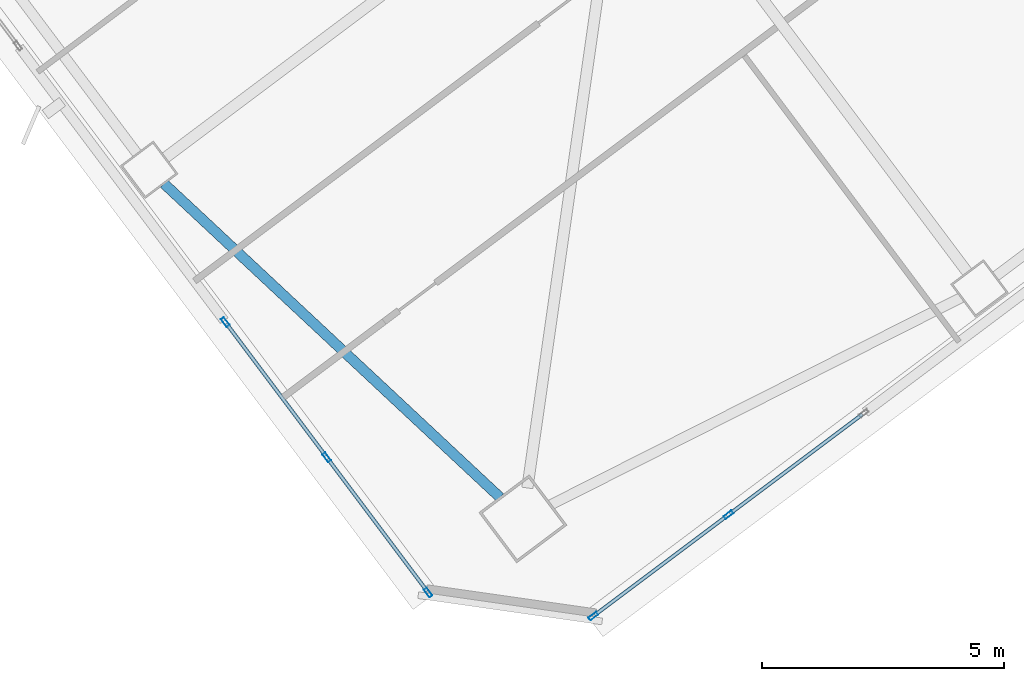
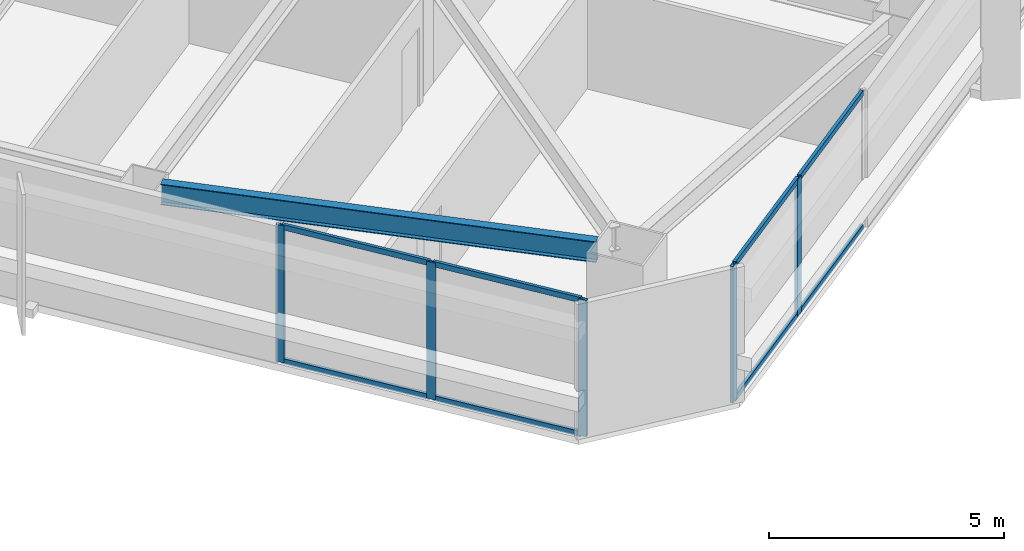
# One storey, part 20 of 48: 13 members, 1 beam, 2 elements without a shape of their own.
"""IFC4 building model written with IfcOpenShell, lengths in metres."""

from ifc_helpers import new_model, si_unit, direction, frame, origin, origin_2d, place, context, subcontext, project, spatial, hollow_rectangle, i_section, extrude, material, material_profile, profile_set, type_object, element, aggregate, save


model = new_model("IFC4")

# Units and contexts
model_context = context("Model", 3, precision=1e-05, world=origin(), true_north=direction((0.0, 1.0)))
body_context = subcontext(model_context, "Body", "Model", "MODEL_VIEW")
ifc_project = project(units=[si_unit("LENGTHUNIT", "METRE"), si_unit("AREAUNIT", "SQUARE_METRE"), si_unit("VOLUMEUNIT", "CUBIC_METRE"), si_unit("PLANEANGLEUNIT", "RADIAN"), si_unit("MASSUNIT", "GRAM", prefix="KILO")], contexts=[model_context])

# Site, building, storey
site_placement = place(None, origin())
site = spatial("IfcSite", under=ifc_project, at=site_placement, CompositionType="ELEMENT")
building_placement = place(site_placement, origin())
building = spatial("IfcBuilding", under=site, at=building_placement, Name="Tashvorn Skyway Center", CompositionType="ELEMENT")
storey_placement = place(building_placement, frame((0.0, 0.0, 125.050048828125)))
storey = spatial("IfcBuildingStorey", under=building, at=storey_placement, Name="L33", CompositionType="ELEMENT", Elevation=125.050048828125)

# Beam
ifc_material_1 = material(Name="Steel ASTM A992 Grade 50", Category="steel")
ifc_material_profile_1 = material_profile(ifc_material_1, i_section(OverallWidth=0.2109375, OverallDepth=0.5390625, WebThickness=0.01171875, FlangeThickness=0.018798828125, at=origin_2d()), Name="W21X73")
ifc_profile_set_1 = profile_set([ifc_material_profile_1], Name="Steel ASTM A992 Grade 50")
beam_type = type_object("IfcBeamType", Name="BM-SPANDREL-W21X73", PredefinedType="SPANDREL", material=ifc_profile_set_1)
beam_placement = place(storey_placement, frame((103.427001953125, 16.80322265625, 3.100341796875), z_axis=(0.730843250868, -0.682545341102, 0.0), x_axis=(0.682545341102, 0.730843250868, 0.0)))
element("IfcBeam", 1, at=beam_placement, inside=storey, type_object=beam_type, Name="Tower 2 L33 Spandrel Beam 12", PredefinedType="SPANDREL", context=body_context, shape_type="SweptSolid", body=[
    extrude(i_section(OverallWidth=0.2109375, OverallDepth=0.5390625, WebThickness=0.01171875, FlangeThickness=0.018798828125, at=origin_2d()), origin(), (0.0, 0.0, 1.0), 9.498046875),
])

# Curtain wall, members
ifc_material_2 = material(Name="Thermally broken bronze-anodized aluminium 6063-T6", Category="aluminium")
curtain_wall_type = type_object("IfcCurtainWallType", Name="CW-CW-Z3", PredefinedType="NOTDEFINED", material=ifc_material_2)
curtain_wall_1_placement = place(storey_placement, origin())
curtain_wall_1 = element("IfcCurtainWall", 2, at=curtain_wall_1_placement, inside=storey, type_object=curtain_wall_type, Name="Tower 2 L33 South Unitised Curtain Wall Glazing Group 3", PredefinedType="NOTDEFINED")
ifc_material_profile_2 = material_profile(ifc_material_2, hollow_rectangle(XDim=0.074951171875, YDim=0.199951171875, WallThickness=0.00439453125, at=origin_2d()), Name="ALU-MULL-75x200")
ifc_profile_set_2 = profile_set([ifc_material_profile_2], Name="Thermally broken bronze-anodized aluminium 6063-T6")
member_type_1 = type_object("IfcMemberType", Name="CWM-CW-Z3", PredefinedType="MULLION", material=ifc_profile_set_2)
member_1_placement = place(storey_placement, frame((115.087158203125, 9.96533203125, 0.0), z_axis=(0.0, 0.0, 1.0), x_axis=(0.600004533995, -0.799996599484, 0.0)))
member_1 = element("IfcMember", 3, at=member_1_placement, type_object=member_type_1, Name="CW-Z3 mullion 2", PredefinedType="MULLION", context=body_context, shape_type="SweptSolid", body=[
    extrude(hollow_rectangle(XDim=0.074951171875, YDim=0.199951171875, WallThickness=0.00439453125, at=origin_2d()), origin(), (0.0, 0.0, 1.0), 3.550048828125),
])
member_2_placement = place(storey_placement, frame((112.2939453125, 7.87060546875, 0.0), z_axis=(0.0, 0.0, 1.0), x_axis=(0.600004533995, -0.799996599484, 0.0)))
member_2 = element("IfcMember", 4, at=member_2_placement, type_object=member_type_1, Name="CW-Z3 mullion 3", PredefinedType="MULLION", context=body_context, shape_type="SweptSolid", body=[
    extrude(hollow_rectangle(XDim=0.074951171875, YDim=0.199951171875, WallThickness=0.00439453125, at=origin_2d()), origin(), (0.0, 0.0, 1.0), 3.550048828125),
])

curtain_wall_2_placement = place(storey_placement, origin())
curtain_wall_2 = element("IfcCurtainWall", 5, at=curtain_wall_2_placement, inside=storey, type_object=curtain_wall_type, Name="Tower 2 L33 West Unitised Curtain Wall Glazing Group 1", PredefinedType="NOTDEFINED")
member_3_placement = place(storey_placement, frame((108.881591796875, 8.35791015625, 0.0), z_axis=(0.0, 0.0, 1.0), x_axis=(-0.799996599484, -0.600004533995, 0.0)))
member_3 = element("IfcMember", 6, at=member_3_placement, type_object=member_type_1, Name="CW-Z3 mullion 1", PredefinedType="MULLION", context=body_context, shape_type="SweptSolid", body=[
    extrude(hollow_rectangle(XDim=0.074951171875, YDim=0.199951171875, WallThickness=0.00439453125, at=origin_2d()), origin(), (0.0, 0.0, 1.0), 3.550048828125),
])
member_4_placement = place(storey_placement, frame((106.78662109375, 11.151123046875, 0.0), z_axis=(0.0, 0.0, 1.0), x_axis=(-0.799996599484, -0.600004533995, 0.0)))
member_4 = element("IfcMember", 7, at=member_4_placement, type_object=member_type_1, Name="CW-Z3 mullion 2", PredefinedType="MULLION", context=body_context, shape_type="SweptSolid", body=[
    extrude(hollow_rectangle(XDim=0.074951171875, YDim=0.199951171875, WallThickness=0.00439453125, at=origin_2d()), origin(), (0.0, 0.0, 1.0), 3.550048828125),
])
member_5_placement = place(storey_placement, frame((104.69189453125, 13.944091796875, 0.0), z_axis=(0.0, 0.0, 1.0), x_axis=(-0.799996599484, -0.600004533995, 0.0)))
member_5 = element("IfcMember", 8, at=member_5_placement, type_object=member_type_1, Name="CW-Z3 mullion 3", PredefinedType="MULLION", context=body_context, shape_type="SweptSolid", body=[
    extrude(hollow_rectangle(XDim=0.074951171875, YDim=0.199951171875, WallThickness=0.00439453125, at=origin_2d()), origin(), (0.0, 0.0, 1.0), 3.550048828125),
])

# Member
ifc_material_profile_3 = material_profile(ifc_material_2, hollow_rectangle(XDim=0.074951171875, YDim=0.139892578125, WallThickness=0.004150390625, at=origin_2d()), Name="ALU-TRAN-75x140")
ifc_profile_set_3 = profile_set([ifc_material_profile_3], Name="Thermally broken bronze-anodized aluminium 6063-T6")
member_type_2 = type_object("IfcMemberType", Name="CWT-CW-Z3", PredefinedType="USERDEFINED", material=ifc_profile_set_3)
member_6_placement = place(storey_placement, frame((117.85009765625, 12.03759765625, 0.037353515625), z_axis=(-0.799982847995, -0.600022868659, 0.0), x_axis=(0.600022868659, -0.799982847995, 0.0)))
member_6 = element("IfcMember", 9, at=member_6_placement, type_object=member_type_2, Name="CW-Z3 transom 1.1", ObjectType="TRANSOM", PredefinedType="USERDEFINED", context=body_context, shape_type="SweptSolid", body=[
    extrude(hollow_rectangle(XDim=0.074951171875, YDim=0.139892578125, WallThickness=0.004150390625, at=origin_2d()), origin(), (0.0, 0.0, 1.0), 3.416259765625),
])

member_7_placement = place(storey_placement, frame((117.85009765625, 12.03759765625, 3.512451171875), z_axis=(-0.799982847995, -0.600022868659, 0.0), x_axis=(0.600022868659, -0.799982847995, 0.0)))
member_7 = element("IfcMember", 10, at=member_7_placement, type_object=member_type_2, Name="CW-Z3 transom 1.2", ObjectType="TRANSOM", PredefinedType="USERDEFINED", context=body_context, shape_type="SweptSolid", body=[
    extrude(hollow_rectangle(XDim=0.074951171875, YDim=0.139892578125, WallThickness=0.004150390625, at=origin_2d()), origin(), (0.0, 0.0, 1.0), 3.416259765625),
])

member_8_placement = place(storey_placement, frame((115.05712890625, 9.94287109375, 0.037353515625), z_axis=(-0.800008575267, -0.59998856614, 0.0), x_axis=(0.59998856614, -0.800008575267, 0.0)))
member_8 = element("IfcMember", 11, at=member_8_placement, type_object=member_type_2, Name="CW-Z3 transom 2.1", ObjectType="TRANSOM", PredefinedType="USERDEFINED", context=body_context, shape_type="SweptSolid", body=[
    extrude(hollow_rectangle(XDim=0.074951171875, YDim=0.139892578125, WallThickness=0.004150390625, at=origin_2d()), origin(), (0.0, 0.0, 1.0), 3.41650390625),
])

member_9_placement = place(storey_placement, frame((115.05712890625, 9.94287109375, 3.512451171875), z_axis=(-0.800008575267, -0.59998856614, 0.0), x_axis=(0.59998856614, -0.800008575267, 0.0)))
member_9 = element("IfcMember", 12, at=member_9_placement, type_object=member_type_2, Name="CW-Z3 transom 2.2", ObjectType="TRANSOM", PredefinedType="USERDEFINED", context=body_context, shape_type="SweptSolid", body=[
    extrude(hollow_rectangle(XDim=0.074951171875, YDim=0.139892578125, WallThickness=0.004150390625, at=origin_2d()), origin(), (0.0, 0.0, 1.0), 3.41650390625),
])

aggregate(curtain_wall_1, [member_1, member_2, member_6, member_7, member_8, member_9])

member_10_placement = place(storey_placement, frame((108.85888671875, 8.387939453125, 0.037353515625), z_axis=(-0.59998856614, 0.800008575267, 0.0), x_axis=(-0.800008575267, -0.59998856614, 0.0)))
member_10 = element("IfcMember", 13, at=member_10_placement, type_object=member_type_2, Name="CW-Z3 transom 1.1", ObjectType="TRANSOM", PredefinedType="USERDEFINED", context=body_context, shape_type="SweptSolid", body=[
    extrude(hollow_rectangle(XDim=0.074951171875, YDim=0.139892578125, WallThickness=0.004150390625, at=origin_2d()), origin(), (0.0, 0.0, 1.0), 3.41650390625),
])

member_11_placement = place(storey_placement, frame((108.85888671875, 8.387939453125, 3.512451171875), z_axis=(-0.59998856614, 0.800008575267, 0.0), x_axis=(-0.800008575267, -0.59998856614, 0.0)))
member_11 = element("IfcMember", 14, at=member_11_placement, type_object=member_type_2, Name="CW-Z3 transom 1.2", ObjectType="TRANSOM", PredefinedType="USERDEFINED", context=body_context, shape_type="SweptSolid", body=[
    extrude(hollow_rectangle(XDim=0.074951171875, YDim=0.139892578125, WallThickness=0.004150390625, at=origin_2d()), origin(), (0.0, 0.0, 1.0), 3.41650390625),
])

member_12_placement = place(storey_placement, frame((106.76416015625, 11.18115234375, 0.037353515625), z_axis=(-0.59998856614, 0.800008575267, 0.0), x_axis=(-0.800008575267, -0.59998856614, 0.0)))
member_12 = element("IfcMember", 15, at=member_12_placement, type_object=member_type_2, Name="CW-Z3 transom 2.1", ObjectType="TRANSOM", PredefinedType="USERDEFINED", context=body_context, shape_type="SweptSolid", body=[
    extrude(hollow_rectangle(XDim=0.074951171875, YDim=0.139892578125, WallThickness=0.004150390625, at=origin_2d()), origin(), (0.0, 0.0, 1.0), 3.41650390625),
])

member_13_placement = place(storey_placement, frame((106.76416015625, 11.18115234375, 3.512451171875), z_axis=(-0.59998856614, 0.800008575267, 0.0), x_axis=(-0.800008575267, -0.59998856614, 0.0)))
member_13 = element("IfcMember", 16, at=member_13_placement, type_object=member_type_2, Name="CW-Z3 transom 2.2", ObjectType="TRANSOM", PredefinedType="USERDEFINED", context=body_context, shape_type="SweptSolid", body=[
    extrude(hollow_rectangle(XDim=0.074951171875, YDim=0.139892578125, WallThickness=0.004150390625, at=origin_2d()), origin(), (0.0, 0.0, 1.0), 3.41650390625),
])

aggregate(curtain_wall_2, [member_3, member_4, member_5, member_10, member_11, member_12, member_13])

save(model, "model.ifc")
